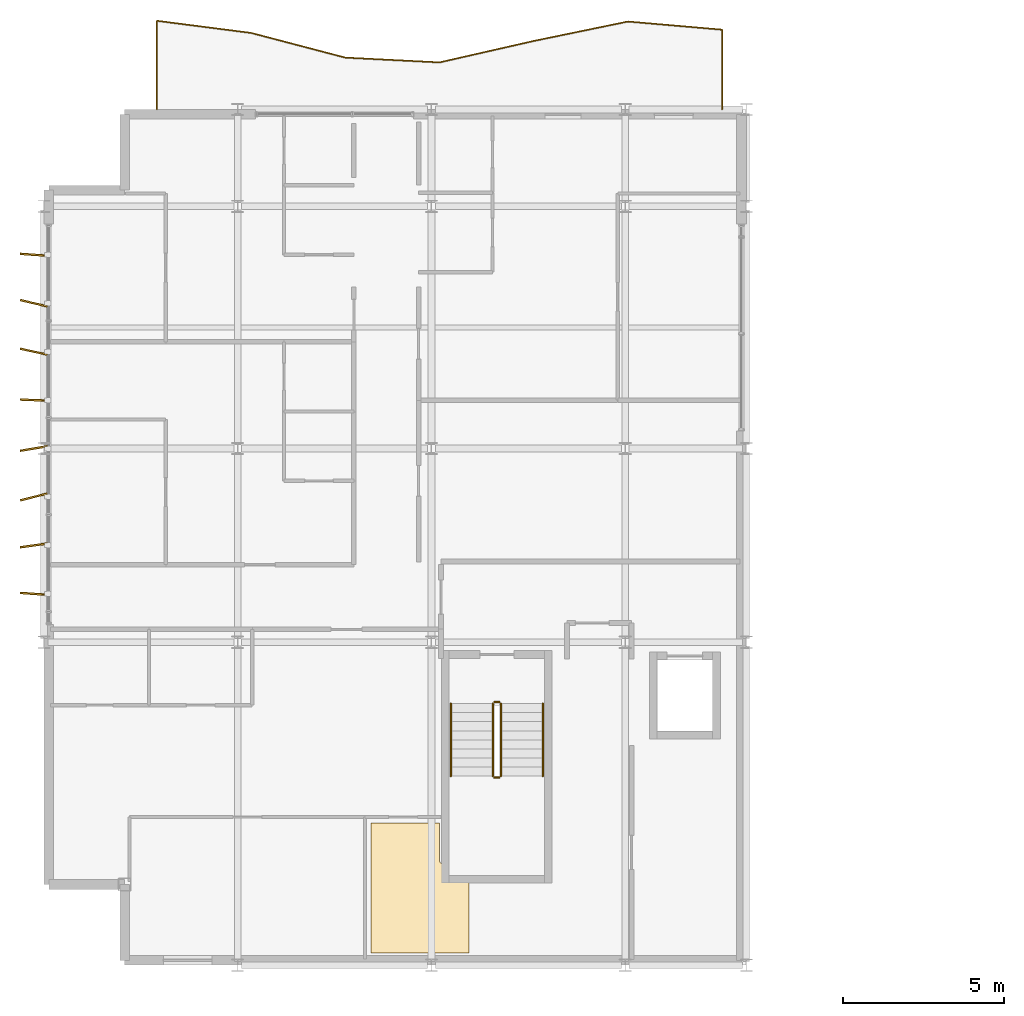
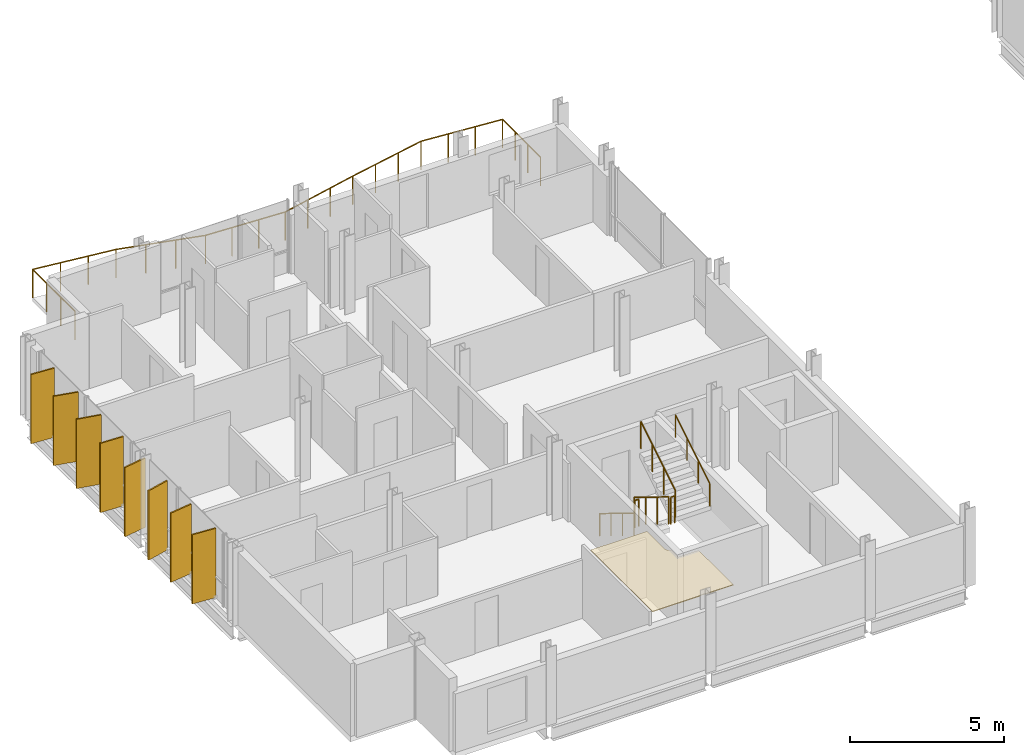
# One storey, part 29 of 30: 8 shading devices, 7 railings, 1 covering.
"""IFC4 building model written with IfcOpenShell, lengths in metres."""

from ifc_helpers import new_model, si_unit, direction, frame, origin, origin_2d, place, context, subcontext, project, spatial, polyline, rectangle, circle, outline, extrude, material, layer, layer_set, type_object, element, save


model = new_model("IFC4")

# Units and contexts
model_context = context("Model", 3, precision=1e-05, world=origin(), true_north=direction((0.0, 1.0)))
body_context = subcontext(model_context, "Body", "Model", "MODEL_VIEW")
ifc_project = project(units=[si_unit("LENGTHUNIT", "METRE"), si_unit("AREAUNIT", "SQUARE_METRE"), si_unit("VOLUMEUNIT", "CUBIC_METRE"), si_unit("PLANEANGLEUNIT", "RADIAN"), si_unit("MASSUNIT", "GRAM", prefix="KILO")], contexts=[model_context])

# Site, building, storey
site_placement = place(None, origin())
site = spatial("IfcSite", under=ifc_project, at=site_placement, CompositionType="ELEMENT")
building_placement = place(site_placement, origin())
building = spatial("IfcBuilding", under=site, at=building_placement, Name="Brevholm Reach", CompositionType="ELEMENT")
storey_placement = place(building_placement, frame((0.0, 0.0, 204.89990234375)))
storey = spatial("IfcBuildingStorey", under=building, at=storey_placement, Name="L62", CompositionType="ELEMENT", Elevation=204.89990234375)

# Covering
ifc_material_1 = material(Name="Moisture-Resistant Skimmed Gypsum Plasterboard Ceiling", Category="gypsum")
ifc_layer_1 = layer(ifc_material_1, 0.030029296875)
ifc_layer_set_1 = layer_set([ifc_layer_1], Name="Moisture-Resistant Skimmed Gypsum Plasterboard Ceiling")
covering_type = type_object("IfcCoveringType", Name="COV-CLG-GYP", PredefinedType="CEILING", material=ifc_layer_set_1)
covering_placement = place(storey_placement, frame((0.0, 0.0, 2.690185546875)))
element("IfcCovering", 1, at=covering_placement, inside=storey, type_object=covering_type, Name="L62 Suspended Ceiling L62-26", PredefinedType="CEILING", context=body_context, shape_type="SweptSolid", body=[
    extrude(outline(polyline([(12.24609375, 4.406005859375), (12.24658203125, 3.277587890625), (12.24755859375, 3.260009765625), (12.250244140625, 3.24267578125), (12.25439453125, 3.2255859375), (12.260498046875, 3.208984375), (12.267822265625, 3.193115234375), (12.277099609375, 3.177978515625), (12.28759765625, 3.163818359375), (12.29931640625, 3.150634765625), (12.3125, 3.138916015625), (12.326416015625, 3.128173828125), (12.341796875, 3.119140625), (12.357666015625, 3.111572265625), (12.374267578125, 3.105712890625), (12.391357421875, 3.101318359375), (12.39990234375, 3.10009765625), (12.39990234375, 2.6298828125), (13.166015625, 2.6298828125), (13.166015625, 0.3798828125), (12.123779296875, 0.3798828125), (12.1162109375, 0.3828125), (12.077880859375, 0.392333984375), (12.039306640625, 0.398193359375), (12.0, 0.39990234375), (11.960693359375, 0.398193359375), (11.922119140625, 0.392333984375), (11.8837890625, 0.3828125), (11.876220703125, 0.3798828125), (10.1298828125, 0.3798828125), (10.1298828125, 4.406005859375), (12.24609375, 4.406005859375)])), origin(), (0.0, 0.0, 1.0), 0.030029296875),
])

# Railings
ifc_material_2 = material(Name="Brushed Stainless Steel EN 1.4401 and Laminated Glass", Category="steel")
railing_type_1 = type_object("IfcRailingType", Name="RAL-BALC-1150", PredefinedType="BALUSTRADE", material=ifc_material_2)
railing_1_placement = place(storey_placement, frame((21.0, 26.5, 0.0)))
element("IfcRailing", 2, at=railing_1_placement, inside=storey, type_object=railing_type_1, Name="L62 Guard Balustrade RAL-L62-BAL-NW", PredefinedType="BALUSTRADE", context=body_context, shape_type="SweptSolid", body=[
    extrude(circle(Radius=0.02392578125, at=origin_2d()), frame((0.0, 0.0, 1.1259765625), z_axis=(0.0, 1.0, 0.0), x_axis=(-1.0, 0.0, 0.0)), (0.0, 0.0, 1.0), 2.4716796875),
    extrude(circle(Radius=0.02392578125, at=origin_2d()), frame((0.0, 2.4716796875, 1.1259765625), z_axis=(-0.996282713287, 0.086143805376, 0.0), x_axis=(-0.086143805376, -0.996282713287, 0.0)), (0.0, 0.0, 1.0), 2.927734375),
    extrude(circle(Radius=0.02392578125, at=origin_2d()), frame((-2.916748046875, 2.723876953125, 1.1259765625), z_axis=(-0.979367411888, -0.202087784221, 0.0), x_axis=(0.202087784221, -0.979367411888, 0.0)), (0.0, 0.0, 1.0), 2.97802734375),
    extrude(circle(Radius=0.02392578125, at=origin_2d()), frame((-5.833251953125, 2.1220703125, 1.1259765625), z_axis=(-0.975083925705, -0.221836286102, 0.0), x_axis=(0.221836286102, -0.975083925705, 0.0)), (0.0, 0.0, 1.0), 2.9912109375),
    extrude(circle(Radius=0.02392578125, at=origin_2d()), frame((-8.75, 1.45849609375, 1.1259765625), z_axis=(-0.998720239463, 0.050575520622, 0.0), x_axis=(-0.050575520622, -0.998720239463, 0.0)), (0.0, 0.0, 1.0), 2.92041015625),
    extrude(circle(Radius=0.02392578125, at=origin_2d()), frame((-11.666748046875, 1.606201171875, 1.1259765625), z_axis=(-0.967306983138, 0.25360836022, 0.0), x_axis=(-0.25360836022, -0.967306983138, 0.0)), (0.0, 0.0, 1.0), 3.01513671875),
    extrude(circle(Radius=0.02392578125, at=origin_2d()), frame((-14.583251953125, 2.370849609375, 1.1259765625), z_axis=(-0.991815212116, 0.12768157665, 0.0), x_axis=(-0.12768157665, -0.991815212116, 0.0)), (0.0, 0.0, 1.0), 2.94091796875),
    extrude(circle(Radius=0.02392578125, at=origin_2d()), frame((-17.5, 2.746337890625, 1.1259765625), z_axis=(0.0, -1.0, 0.0), x_axis=(1.0, 0.0, 0.0)), (0.0, 0.0, 1.0), 2.746337890625),
    extrude(circle(Radius=0.02099609375, at=origin_2d()), origin(), (0.0, 0.0, 1.0), 1.101806640625),
    extrude(circle(Radius=0.02099609375, at=origin_2d()), frame((0.0, 0.823974609375, 0.0)), (0.0, 0.0, 1.0), 1.101806640625),
    extrude(circle(Radius=0.02099609375, at=origin_2d()), frame((0.0, 1.647705078125, 0.0)), (0.0, 0.0, 1.0), 1.101806640625),
    extrude(circle(Radius=0.02099609375, at=origin_2d()), frame((0.0, 2.4716796875, 0.0)), (0.0, 0.0, 1.0), 1.101806640625),
    extrude(circle(Radius=0.02099609375, at=origin_2d()), frame((-0.97216796875, 2.5556640625, 0.0)), (0.0, 0.0, 1.0), 1.101806640625),
    extrude(circle(Radius=0.02099609375, at=origin_2d()), frame((-1.944580078125, 2.639892578125, 0.0)), (0.0, 0.0, 1.0), 1.101806640625),
    extrude(circle(Radius=0.02099609375, at=origin_2d()), frame((-2.916748046875, 2.723876953125, 0.0)), (0.0, 0.0, 1.0), 1.101806640625),
    extrude(circle(Radius=0.02099609375, at=origin_2d()), frame((-3.888916015625, 2.523193359375, 0.0)), (0.0, 0.0, 1.0), 1.101806640625),
    extrude(circle(Radius=0.02099609375, at=origin_2d()), frame((-4.861083984375, 2.32275390625, 0.0)), (0.0, 0.0, 1.0), 1.101806640625),
    extrude(circle(Radius=0.02099609375, at=origin_2d()), frame((-5.833251953125, 2.1220703125, 0.0)), (0.0, 0.0, 1.0), 1.101806640625),
    extrude(circle(Radius=0.02099609375, at=origin_2d()), frame((-6.805419921875, 1.90087890625, 0.0)), (0.0, 0.0, 1.0), 1.101806640625),
    extrude(circle(Radius=0.02099609375, at=origin_2d()), frame((-7.77783203125, 1.6796875, 0.0)), (0.0, 0.0, 1.0), 1.101806640625),
    extrude(circle(Radius=0.02099609375, at=origin_2d()), frame((-8.75, 1.45849609375, 0.0)), (0.0, 0.0, 1.0), 1.101806640625),
    extrude(circle(Radius=0.02099609375, at=origin_2d()), frame((-9.72216796875, 1.5078125, 0.0)), (0.0, 0.0, 1.0), 1.101806640625),
    extrude(circle(Radius=0.02099609375, at=origin_2d()), frame((-10.694580078125, 1.556884765625, 0.0)), (0.0, 0.0, 1.0), 1.101806640625),
    extrude(circle(Radius=0.02099609375, at=origin_2d()), frame((-11.666748046875, 1.606201171875, 0.0)), (0.0, 0.0, 1.0), 1.101806640625),
    extrude(circle(Radius=0.02099609375, at=origin_2d()), frame((-12.638916015625, 1.861083984375, 0.0)), (0.0, 0.0, 1.0), 1.101806640625),
    extrude(circle(Radius=0.02099609375, at=origin_2d()), frame((-13.611083984375, 2.115966796875, 0.0)), (0.0, 0.0, 1.0), 1.101806640625),
    extrude(circle(Radius=0.02099609375, at=origin_2d()), frame((-14.583251953125, 2.370849609375, 0.0)), (0.0, 0.0, 1.0), 1.101806640625),
    extrude(circle(Radius=0.02099609375, at=origin_2d()), frame((-15.555419921875, 2.49609375, 0.0)), (0.0, 0.0, 1.0), 1.101806640625),
    extrude(circle(Radius=0.02099609375, at=origin_2d()), frame((-16.52783203125, 2.62109375, 0.0)), (0.0, 0.0, 1.0), 1.101806640625),
    extrude(circle(Radius=0.02099609375, at=origin_2d()), frame((-17.5, 2.746337890625, 0.0)), (0.0, 0.0, 1.0), 1.101806640625),
    extrude(circle(Radius=0.02099609375, at=origin_2d()), frame((-17.5, 1.830810546875, 0.0)), (0.0, 0.0, 1.0), 1.101806640625),
    extrude(circle(Radius=0.02099609375, at=origin_2d()), frame((-17.5, 0.91552734375, 0.0)), (0.0, 0.0, 1.0), 1.101806640625),
    extrude(circle(Radius=0.02099609375, at=origin_2d()), frame((-17.5, 0.0, 0.0)), (0.0, 0.0, 1.0), 1.101806640625),
])
ifc_material_3 = material(Name="Brushed Stainless Steel EN 1.4401 Continuous Handrail", Category="steel")
railing_type_2 = type_object("IfcRailingType", Name="RAL-HND-950", PredefinedType="HANDRAIL", material=ifc_material_3)
railing_2_placement = place(storey_placement, frame((12.60009765625, 8.10009765625, 0.17236328125)))
element("IfcRailing", 3, at=railing_2_placement, inside=storey, type_object=railing_type_2, Name="L62 ST-1 stair handrail 1", PredefinedType="HANDRAIL", context=body_context, shape_type="SweptSolid", body=[
    extrude(circle(Radius=0.02392578125, at=origin_2d()), frame((0.0, 0.0, 0.8857421875), z_axis=(0.0, -0.85178898068, 0.523885037382), x_axis=(1.0, 0.0, 0.0)), (0.0, 0.0, 1.0), 2.629638671875),
    extrude(circle(Radius=0.02099609375, at=origin_2d()), origin(), (0.0, 0.0, 1.0), 0.86181640625),
    extrude(circle(Radius=0.02099609375, at=origin_2d()), frame((0.0, -0.74658203125, 0.459228515625)), (0.0, 0.0, 1.0), 0.86181640625),
    extrude(circle(Radius=0.02099609375, at=origin_2d()), frame((0.0, -1.493408203125, 0.91845703125)), (0.0, 0.0, 1.0), 0.86181640625),
    extrude(circle(Radius=0.02099609375, at=origin_2d()), frame((0.0, -2.239990234375, 1.377685546875)), (0.0, 0.0, 1.0), 0.86181640625),
])
railing_3_placement = place(storey_placement, frame((15.449951171875, 5.860107421875, 1.722412109375)))
element("IfcRailing", 4, at=railing_3_placement, inside=storey, type_object=railing_type_2, Name="L62 ST-1 stair handrail 2", PredefinedType="HANDRAIL", context=body_context, shape_type="SweptSolid", body=[
    extrude(circle(Radius=0.02392578125, at=origin_2d()), frame((0.0, 0.0, 0.8857421875), z_axis=(0.0, 0.85178898068, 0.523885037382), x_axis=(-1.0, 0.0, 0.0)), (0.0, 0.0, 1.0), 2.629638671875),
    extrude(circle(Radius=0.02099609375, at=origin_2d()), origin(), (0.0, 0.0, 1.0), 0.86181640625),
    extrude(circle(Radius=0.02099609375, at=origin_2d()), frame((0.0, 0.74658203125, 0.459228515625)), (0.0, 0.0, 1.0), 0.86181640625),
    extrude(circle(Radius=0.02099609375, at=origin_2d()), frame((0.0, 1.493408203125, 0.91845703125)), (0.0, 0.0, 1.0), 0.86181640625),
    extrude(circle(Radius=0.02099609375, at=origin_2d()), frame((0.0, 2.239990234375, 1.377685546875)), (0.0, 0.0, 1.0), 0.86181640625),
])
ifc_material_4 = material(Name="Painted Tubular Galvanised Steel S275JR Stair Guard", Category="steel")
railing_type_3 = type_object("IfcRailingType", Name="RAL-STG-1120", PredefinedType="BALUSTRADE", material=ifc_material_4)
railing_4_placement = place(storey_placement, frame((13.89990234375, 8.10009765625, 0.17236328125)))
element("IfcRailing", 5, at=railing_4_placement, inside=storey, type_object=railing_type_3, Name="L62 ST-1 stair guard 1", PredefinedType="BALUSTRADE", context=body_context, shape_type="SweptSolid", body=[
    extrude(circle(Radius=0.02392578125, at=origin_2d()), frame((0.0, 0.0, 1.076171875), z_axis=(0.0, -0.85178898068, 0.523885037382), x_axis=(1.0, 0.0, 0.0)), (0.0, 0.0, 1.0), 2.629638671875),
    extrude(circle(Radius=0.02099609375, at=origin_2d()), origin(), (0.0, 0.0, 1.0), 1.052001953125),
    extrude(circle(Radius=0.02099609375, at=origin_2d()), frame((0.0, -0.74658203125, 0.459228515625)), (0.0, 0.0, 1.0), 1.052001953125),
    extrude(circle(Radius=0.02099609375, at=origin_2d()), frame((0.0, -1.493408203125, 0.91845703125)), (0.0, 0.0, 1.0), 1.052001953125),
    extrude(circle(Radius=0.02099609375, at=origin_2d()), frame((0.0, -2.239990234375, 1.377685546875)), (0.0, 0.0, 1.0), 1.052001953125),
])
railing_5_placement = place(storey_placement, frame((13.949951171875, 5.81005859375, 1.550048828125)))
element("IfcRailing", 6, at=railing_5_placement, inside=storey, type_object=railing_type_3, Name="L62 ST-1 stair guard 2", PredefinedType="BALUSTRADE", context=body_context, shape_type="SweptSolid", body=[
    extrude(circle(Radius=0.02392578125, at=origin_2d()), frame((0.0, 0.0, 1.076171875), z_axis=(1.0, 0.0, 0.0), x_axis=(0.0, 1.0, 0.0)), (0.0, 0.0, 1.0), 0.150146484375),
    extrude(circle(Radius=0.02099609375, at=origin_2d()), origin(), (0.0, 0.0, 1.0), 1.052001953125),
    extrude(circle(Radius=0.02099609375, at=origin_2d()), frame((0.150146484375, 0.0, 0.0)), (0.0, 0.0, 1.0), 1.052001953125),
])
railing_6_placement = place(storey_placement, frame((14.14990234375, 5.860107421875, 1.722412109375)))
element("IfcRailing", 7, at=railing_6_placement, inside=storey, type_object=railing_type_3, Name="L62 ST-1 stair guard 3", PredefinedType="BALUSTRADE", context=body_context, shape_type="SweptSolid", body=[
    extrude(circle(Radius=0.02392578125, at=origin_2d()), frame((0.0, 0.0, 1.076171875), z_axis=(0.0, 0.85178898068, 0.523885037382), x_axis=(-1.0, 0.0, 0.0)), (0.0, 0.0, 1.0), 2.629638671875),
    extrude(circle(Radius=0.02099609375, at=origin_2d()), origin(), (0.0, 0.0, 1.0), 1.052001953125),
    extrude(circle(Radius=0.02099609375, at=origin_2d()), frame((0.0, 0.74658203125, 0.459228515625)), (0.0, 0.0, 1.0), 1.052001953125),
    extrude(circle(Radius=0.02099609375, at=origin_2d()), frame((0.0, 1.493408203125, 0.91845703125)), (0.0, 0.0, 1.0), 1.052001953125),
    extrude(circle(Radius=0.02099609375, at=origin_2d()), frame((0.0, 2.239990234375, 1.377685546875)), (0.0, 0.0, 1.0), 1.052001953125),
])
railing_7_placement = place(storey_placement, frame((13.949951171875, 8.14990234375, 0.0)))
element("IfcRailing", 8, at=railing_7_placement, inside=storey, type_object=railing_type_3, Name="L62 ST-1 stair guard 4", PredefinedType="BALUSTRADE", context=body_context, shape_type="SweptSolid", body=[
    extrude(circle(Radius=0.02392578125, at=origin_2d()), frame((0.0, 0.0, 1.076171875), z_axis=(1.0, 0.0, 0.0), x_axis=(0.0, 1.0, 0.0)), (0.0, 0.0, 1.0), 0.150146484375),
    extrude(circle(Radius=0.02099609375, at=origin_2d()), origin(), (0.0, 0.0, 1.0), 1.052001953125),
    extrude(circle(Radius=0.02099609375, at=origin_2d()), frame((0.150146484375, 0.0, 0.0)), (0.0, 0.0, 1.0), 1.052001953125),
])

# Shading devices
ifc_material_5 = material(Name="Perforated Champagne-Bronze Anodised Aluminium", Category="aluminium")
ifc_layer_2 = layer(ifc_material_5, 0.054931640625)
ifc_layer_set_2 = layer_set([ifc_layer_2], Name="Perforated Champagne-Bronze Anodised Aluminium")
shading_device_type = type_object("IfcShadingDeviceType", Name="SHD-FIN-850", PredefinedType="USERDEFINED", material=ifc_layer_set_2)
for number, where, z_axis, x_axis, name in (
    (9, (-0.31494140625, 11.5, 0.070068359375), (0.0, 0.0, 1.0), (-0.997540863288, 0.070087274669, 0.0), "L62 Perforated Solar Screen Fin 1"),
    (10, (-0.31494140625, 13.0, 0.070068359375), (0.0, 0.0, 1.0), (-0.990319011832, -0.138810139416, 0.0), "L62 Perforated Solar Screen Fin 2"),
    (11, (-0.31494140625, 14.5, 0.070068359375), (0.0, 0.0, 1.0), (-0.970426476591, -0.241396879706, 0.0), "L62 Perforated Solar Screen Fin 3"),
    (12, (-0.31494140625, 16.0, 0.070068359375), (0.0, 0.0, 1.0), (-0.986460760609, -0.163997462722, 0.0), "L62 Perforated Solar Screen Fin 4"),
    (13, (-0.31494140625, 17.5, 0.070068359375), (0.0, 0.0, 1.0), (-0.999264255789, 0.038352928208, 0.0), "L62 Perforated Solar Screen Fin 5"),
    (14, (-0.31494140625, 19.0, 0.070068359375), (0.0, 0.0, 1.0), (-0.977489601007, 0.210983601077, 0.0), "L62 Perforated Solar Screen Fin 6"),
    (15, (-0.31494140625, 20.5, 0.070068359375), (0.0, 0.0, 1.0), (-0.974405387993, 0.224797997877, 0.0), "L62 Perforated Solar Screen Fin 7"),
    (16, (-0.31494140625, 22.0, 0.070068359375), (0.0, 0.0, 1.0), (-0.997540863288, 0.070087274669, 0.0), "L62 Perforated Solar Screen Fin 8"),
):
    element("IfcShadingDevice", number, at=place(storey_placement, frame(where, z_axis=z_axis, x_axis=x_axis)), inside=storey, type_object=shading_device_type, Name=name, ObjectType="SCREEN", PredefinedType="USERDEFINED", context=body_context, shape_type="SweptSolid", body=[
        extrude(rectangle(XDim=0.85009765625, YDim=0.054931640625, at=origin_2d()), origin(), (0.0, 0.0, 1.0), 2.75),
    ])

save(model, "model.ifc")
